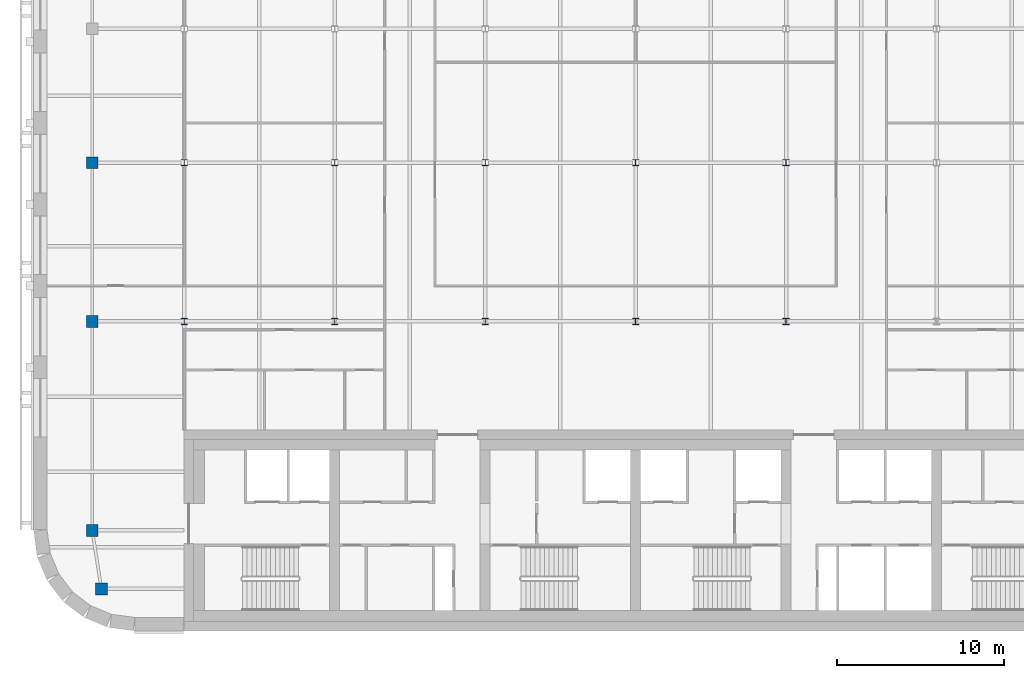
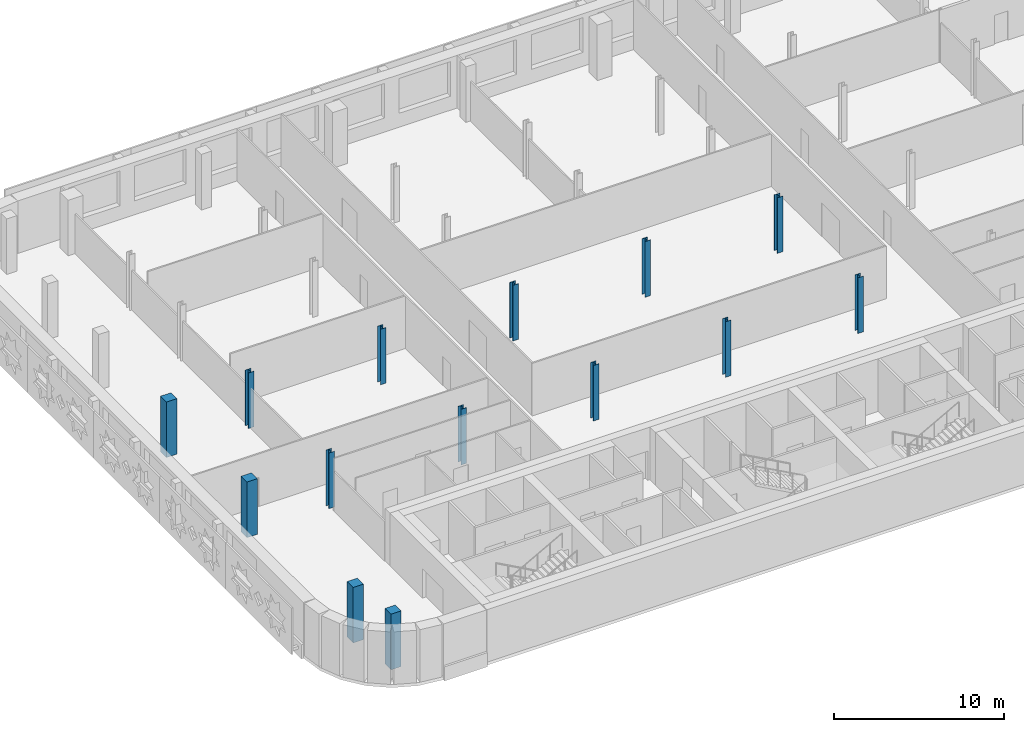
# One storey, part 1 of 16: 14 columns.
"""IFC4 building model written with IfcOpenShell, lengths in metres."""

from ifc_helpers import new_model, si_unit, direction, frame, origin, origin_2d, place, context, subcontext, project, spatial, rectangle, i_section, extrude, material, material_profile, profile_set, type_object, element, save


model = new_model("IFC4")

# Units and contexts
model_context = context("Model", 3, precision=1e-05, world=origin(), true_north=direction((0.0, 1.0)))
body_context = subcontext(model_context, "Body", "Model", "MODEL_VIEW")
ifc_project = project(units=[si_unit("LENGTHUNIT", "METRE"), si_unit("AREAUNIT", "SQUARE_METRE"), si_unit("VOLUMEUNIT", "CUBIC_METRE"), si_unit("PLANEANGLEUNIT", "RADIAN"), si_unit("MASSUNIT", "GRAM", prefix="KILO")], contexts=[model_context])

# Site, building, storey
site_placement = place(None, origin())
site = spatial("IfcSite", under=ifc_project, at=site_placement, CompositionType="ELEMENT")
building_placement = place(site_placement, origin())
building = spatial("IfcBuilding", under=site, at=building_placement, Name="Zellij Exchange Tower", CompositionType="ELEMENT")
storey_placement = place(building_placement, frame((0.0, 0.0, 280.5)))
storey = spatial("IfcBuildingStorey", under=building, at=storey_placement, Name="L66", CompositionType="ELEMENT", Elevation=280.5)

# Columns
ifc_material_1 = material(Name="Concrete C50/60", Category="concrete")
ifc_material_profile_1 = material_profile(ifc_material_1, rectangle(XDim=0.699951171875, YDim=0.699951171875, at=origin_2d()), Name="STR-COLUMN RC700x700 C50/60")
ifc_profile_set_1 = profile_set([ifc_material_profile_1], Name="Concrete C50/60")
column_type_1 = type_object("IfcColumnType", Name="STR-COLUMN RC700x700 C50/60", PredefinedType="COLUMN", material=ifc_profile_set_1)
for number, where, z_axis, x_axis, name in (
    (1, (-31.949951171875, -11.5, 0.0), (0.0, 0.0, 1.0), (1.0, 0.0, 0.0), "C14"),
    (2, (-32.5, -8.0, 0.0), (0.0, 0.0, 1.0), (1.0, 0.0, 0.0), "C14"),
    (3, (-32.5, 4.5, 0.0), (0.0, 0.0, 1.0), (1.0, 0.0, 0.0), "C14"),
    (4, (-32.5, 14.0, 0.0), (0.0, 0.0, 1.0), (1.0, 0.0, 0.0), "C14"),
):
    element("IfcColumn", number, at=place(storey_placement, frame(where, z_axis=z_axis, x_axis=x_axis)), inside=storey, type_object=column_type_1, Name=name, PredefinedType="COLUMN", context=body_context, shape_type="SweptSolid", body=[
        extrude(rectangle(XDim=0.699951171875, YDim=0.699951171875, at=origin_2d()), origin(), (0.0, 0.0, 1.0), 4.0),
    ])
ifc_material_2 = material(Name="Structural steel ASTM A992 Gr 50", Category="steel")
ifc_material_profile_2 = material_profile(ifc_material_2, i_section(OverallWidth=0.373291015625, OverallDepth=0.373291015625, WebThickness=0.016357421875, FlangeThickness=0.026123046875, at=origin_2d()), Name="W14x132")
ifc_profile_set_2 = profile_set([ifc_material_profile_2], Name="Structural steel ASTM A992 Gr 50")
column_type_2 = type_object("IfcColumnType", Name="STR-COLUMN W14x132", PredefinedType="COLUMN", material=ifc_profile_set_2)
for number, where, z_axis, x_axis, name in (
    (5, (-27.0, 4.5, 0.0), (0.0, 0.0, 1.0), (1.0, 0.0, 0.0), "C1"),
    (6, (-18.0, 4.5, 0.0), (0.0, 0.0, 1.0), (1.0, 0.0, 0.0), "C1"),
    (7, (-9.0, 4.5, 0.0), (0.0, 0.0, 1.0), (1.0, 0.0, 0.0), "C1"),
    (8, (0.0, 4.5, 0.0), (0.0, 0.0, 1.0), (1.0, 0.0, 0.0), "C1"),
    (9, (9.0, 4.5, 0.0), (0.0, 0.0, 1.0), (1.0, 0.0, 0.0), "C1"),
    (10, (-27.0, 14.0, 0.0), (0.0, 0.0, 1.0), (1.0, 0.0, 0.0), "C1"),
    (11, (-18.0, 14.0, 0.0), (0.0, 0.0, 1.0), (1.0, 0.0, 0.0), "C1"),
    (12, (-9.0, 14.0, 0.0), (0.0, 0.0, 1.0), (1.0, 0.0, 0.0), "C1"),
    (13, (0.0, 14.0, 0.0), (0.0, 0.0, 1.0), (1.0, 0.0, 0.0), "C1"),
    (14, (9.0, 14.0, 0.0), (0.0, 0.0, 1.0), (1.0, 0.0, 0.0), "C1"),
):
    element("IfcColumn", number, at=place(storey_placement, frame(where, z_axis=z_axis, x_axis=x_axis)), inside=storey, type_object=column_type_2, Name=name, PredefinedType="COLUMN", context=body_context, shape_type="SweptSolid", body=[
        extrude(i_section(OverallWidth=0.373291015625, OverallDepth=0.373291015625, WebThickness=0.016357421875, FlangeThickness=0.026123046875, at=origin_2d()), origin(), (0.0, 0.0, 1.0), 4.0),
    ])

save(model, "model.ifc")
